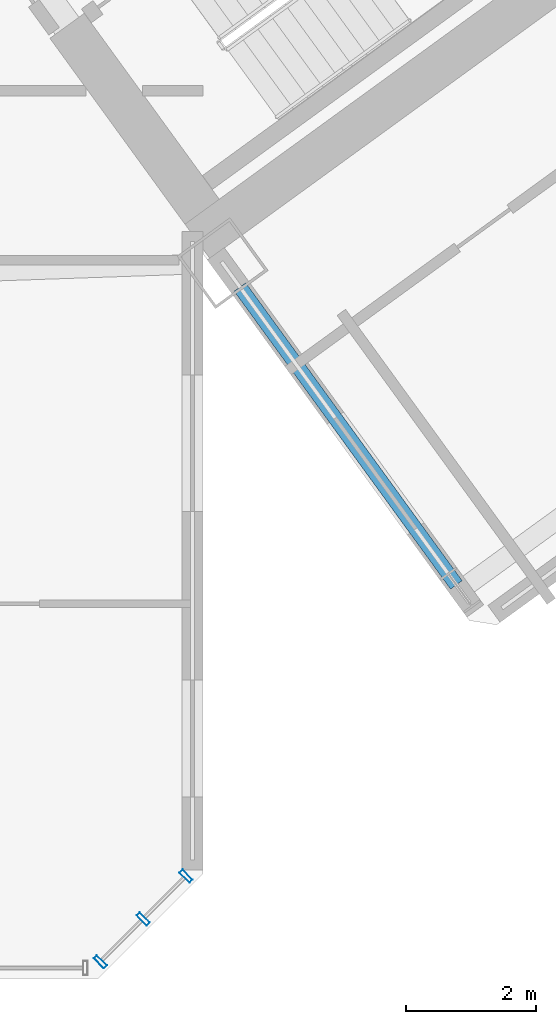
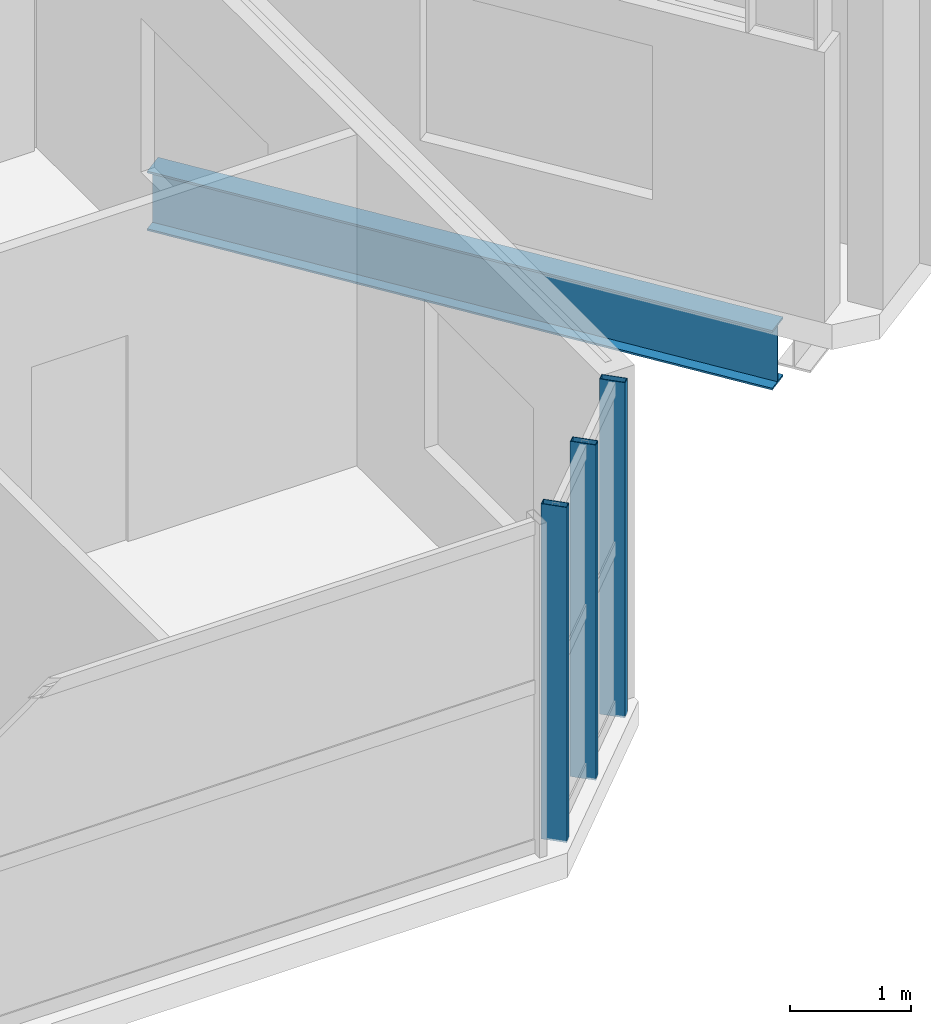
# One storey, part 9 of 28: 3 members, 1 beam, 1 element without a shape of its own.
"""IFC4 building model written with IfcOpenShell, lengths in metres."""

from ifc_helpers import new_model, si_unit, direction, frame, origin, origin_2d, place, context, subcontext, project, spatial, hollow_rectangle, i_section, extrude, source, transform, mapped, material, material_profile, profile_set, type_object, element, aggregate, save


model = new_model("IFC4")

# Units and contexts
model_context = context("Model", 3, precision=1e-05, world=origin(), true_north=direction((0.0, 1.0)))
body_context = subcontext(model_context, "Body", "Model", "MODEL_VIEW")
ifc_project = project(units=[si_unit("LENGTHUNIT", "METRE"), si_unit("AREAUNIT", "SQUARE_METRE"), si_unit("VOLUMEUNIT", "CUBIC_METRE"), si_unit("PLANEANGLEUNIT", "RADIAN"), si_unit("MASSUNIT", "GRAM", prefix="KILO")], contexts=[model_context])

# Site, building, storey
site_placement = place(None, origin())
site = spatial("IfcSite", under=ifc_project, at=site_placement, CompositionType="ELEMENT")
building_placement = place(site_placement, origin())
building = spatial("IfcBuilding", under=site, at=building_placement, Name="Tlacorven Tower", CompositionType="ELEMENT")
storey_placement = place(building_placement, frame((0.0, 0.0, 34.800048828125)))
storey = spatial("IfcBuildingStorey", under=building, at=storey_placement, Name="L08", CompositionType="ELEMENT", Elevation=34.800048828125)

# Beam
ifc_material_1 = material(Name="Steel S355J2", Category="steel")
ifc_material_profile_1 = material_profile(ifc_material_1, i_section(OverallWidth=0.219970703125, OverallDepth=0.60009765625, WebThickness=0.011962890625, FlangeThickness=0.01904296875, at=origin_2d()), Name="IPE 600")
ifc_profile_set_1 = profile_set([ifc_material_profile_1], Name="Steel S355J2")
beam_type = type_object("IfcBeamType", Name="BM-TWR-600", PredefinedType="BEAM", material=ifc_profile_set_1)
shared_shape_1 = source(origin(), body_context, "Body", "SweptSolid", [
    extrude(i_section(OverallWidth=0.219970703125, OverallDepth=0.60009765625, WebThickness=0.011962890625, FlangeThickness=0.01904296875, at=origin_2d()), origin(), (0.0, 0.0, 1.0), 5.650146484375),
])
beam_placement = place(storey_placement, frame((56.291015625, 7.83837890625, -0.550048828125), z_axis=(-0.587783675561, 0.809018139935, 0.0), x_axis=(-0.809018139935, -0.587783675561, 0.0)))
element("IfcBeam", 1, at=beam_placement, inside=storey, type_object=beam_type, Name="L08 beam BM-L08-ET1-1", PredefinedType="BEAM", context=body_context, shape_type="MappedRepresentation", body=[
    mapped(shared_shape_1, transform((0.0, 0.0, 0.0), scale=1.0)),
])

# Curtain wall, members
ifc_material_2 = material(Name="Dark solar low-E double glazing in aluminium frame", Category="aluminium")
curtain_wall_type = type_object("IfcCurtainWallType", Name="CW-TWR-LOW", PredefinedType="USERDEFINED", material=ifc_material_2)
curtain_wall_placement = place(storey_placement, origin())
curtain_wall = element("IfcCurtainWall", 2, at=curtain_wall_placement, inside=storey, type_object=curtain_wall_type, Name="L08 CW-TWR-LOW Curtain Wall 39", ObjectType="UNITISED CURTAIN WALL", PredefinedType="USERDEFINED")
ifc_material_3 = material(Name="Aluminium 6063-T6 anodised", Category="aluminium")
ifc_material_profile_2 = material_profile(ifc_material_3, hollow_rectangle(XDim=0.070068359375, YDim=0.219970703125, WallThickness=0.0048828125, at=origin_2d()), Name="ALU MULLION 70X220")
ifc_profile_set_2 = profile_set([ifc_material_profile_2], Name="Aluminium 6063-T6 anodised")
member_type = type_object("IfcMemberType", Name="CWM-01", PredefinedType="MULLION", material=ifc_profile_set_2)
shared_shape_2 = source(origin(), body_context, "Body", "SweptSolid", [
    extrude(hollow_rectangle(XDim=0.070068359375, YDim=0.219970703125, WallThickness=0.0048828125, at=origin_2d()), origin(), (0.0, 0.0, 1.0), 3.3798828125),
])
member_1_placement = place(storey_placement, frame((52.14453125, 3.370849609375, -0.02001953125), z_axis=(0.0, 0.0, 1.0), x_axis=(-0.707106781187, -0.707106781187, 0.0)))
member_1 = element("IfcMember", 3, at=member_1_placement, type_object=member_type, Name="CW-L08-039 Mullion 1", PredefinedType="MULLION", context=body_context, shape_type="MappedRepresentation", body=[
    mapped(shared_shape_2, transform((0.0, 0.0, 0.0), scale=1.0)),
])
member_2_placement = place(storey_placement, frame((51.48681640625, 2.713134765625, -0.02001953125), z_axis=(0.0, 0.0, 1.0), x_axis=(-0.707106781187, -0.707106781187, 0.0)))
member_2 = element("IfcMember", 4, at=member_2_placement, type_object=member_type, Name="CW-L08-039 Mullion 2", PredefinedType="MULLION", context=body_context, shape_type="MappedRepresentation", body=[
    mapped(shared_shape_2, transform((0.0, 0.0, 0.0), scale=1.0)),
])
member_3_placement = place(storey_placement, frame((50.8291015625, 2.055419921875, -0.02001953125), z_axis=(0.0, 0.0, 1.0), x_axis=(-0.707106781187, -0.707106781187, 0.0)))
member_3 = element("IfcMember", 5, at=member_3_placement, type_object=member_type, Name="CW-L08-039 Mullion 3", PredefinedType="MULLION", context=body_context, shape_type="MappedRepresentation", body=[
    mapped(shared_shape_2, transform((0.0, 0.0, 0.0), scale=1.0)),
])
aggregate(curtain_wall, [member_1, member_2, member_3])

save(model, "model.ifc")
